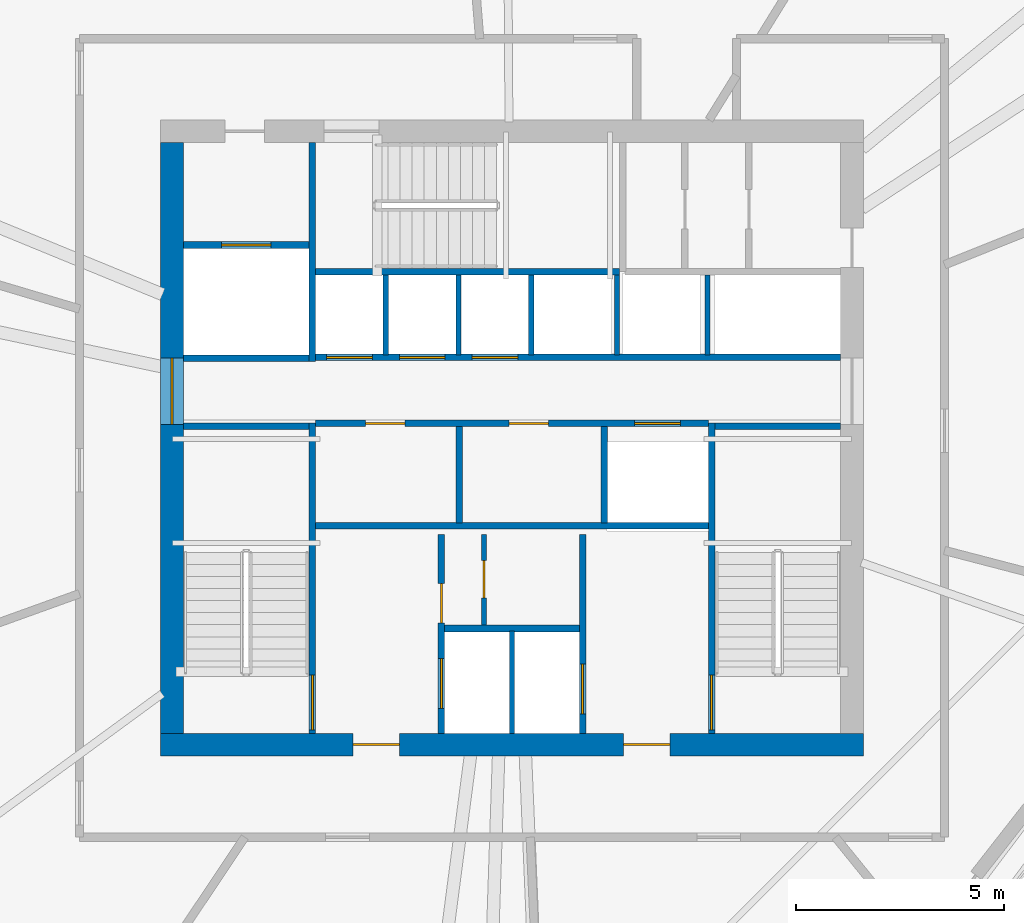
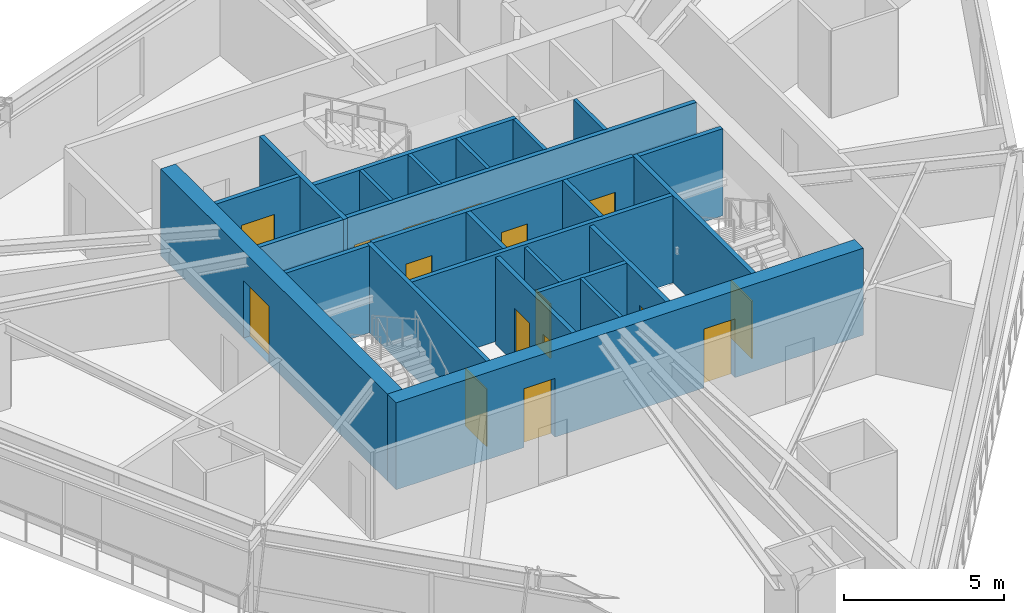
# One storey, part 9 of 14: 25 walls, 16 doors, 16 openings.
"""IFC4 building model written with IfcOpenShell, lengths in metres."""

from ifc_helpers import new_model, si_unit, direction, frame, frame_2d, origin, place, context, subcontext, project, spatial, rectangle, extrude, source, transform, mapped, material, layer, layer_set, type_object, type_shapes, element, fill, save


model = new_model("IFC4")

# Units and contexts
model_context = context("Model", 3, precision=1e-05, world=origin(), true_north=direction((0.0, 1.0)))
body_context = subcontext(model_context, "Body", "Model", "MODEL_VIEW")
ifc_project = project(units=[si_unit("LENGTHUNIT", "METRE"), si_unit("AREAUNIT", "SQUARE_METRE"), si_unit("VOLUMEUNIT", "CUBIC_METRE"), si_unit("PLANEANGLEUNIT", "RADIAN"), si_unit("MASSUNIT", "GRAM", prefix="KILO")], contexts=[model_context])

# Site, building, storey
site_placement = place(None, origin())
site = spatial("IfcSite", under=ifc_project, at=site_placement, CompositionType="ELEMENT")
building_placement = place(site_placement, origin())
building = spatial("IfcBuilding", under=site, at=building_placement, Name="Olszyna Solenne Hotel", CompositionType="ELEMENT")
storey_placement = place(building_placement, frame((0.0, 0.0, 178.550048828125)))
storey = spatial("IfcBuildingStorey", under=building, at=storey_placement, Name="L47", CompositionType="ELEMENT", Elevation=178.550048828125)

# Wall, openings, doors
ifc_material_1 = material(Name="Concrete C50/60", Category="concrete")
ifc_layer_1 = layer(ifc_material_1, 0.550048828125, Name="Concrete C50/60")
ifc_layer_set_1 = layer_set([ifc_layer_1], Name="Concrete C50/60")
wall_type_1 = type_object("IfcWallType", Name="WL-CR550", PredefinedType="SHEAR", material=ifc_layer_set_1)
wall_1_placement = place(storey_placement, frame((46.449951171875, 19.22509765625, 0.0), z_axis=(0.0, 0.0, 1.0), x_axis=(-1.0, 0.0, 0.0)))
wall_1 = element("IfcWall", 1, at=wall_1_placement, inside=storey, type_object=wall_type_1, Name="Core shear wall WL-CR550 CRW-L47-S", PredefinedType="SHEAR", context=body_context, shape_type="SweptSolid", body=[
    extrude(rectangle(XDim=16.89990234375, YDim=0.550048828125, at=frame_2d((8.449951171875, 0.0))), origin(), (0.0, 0.0, 1.0), 3.329833984375),
])
opening_1_placement = place(wall_1_placement, frame((4.64990234375, 0.0, 0.0)))
opening_1 = element("IfcOpeningElement", 2, at=opening_1_placement, cuts=wall_1, Name="Opening FL-L47-1", PredefinedType="OPENING", context=body_context, shape_type="SweptSolid", body=[
    extrude(rectangle(XDim=1.1201171875, YDim=2.25, at=frame_2d((0.56005859375, 1.125))), frame((0.0, 0.28515625, 0.0), z_axis=(0.0, -1.0, 0.0), x_axis=(1.0, 0.0, 0.0)), (0.0, 0.0, 1.0), 0.570068359375),
])
opening_2_placement = place(wall_1_placement, frame((11.14990234375, 0.0, 0.0)))
opening_2 = element("IfcOpeningElement", 3, at=opening_2_placement, cuts=wall_1, Name="Opening FL-L47-2", PredefinedType="OPENING", context=body_context, shape_type="SweptSolid", body=[
    extrude(rectangle(XDim=1.1201171875, YDim=2.25, at=frame_2d((0.56005859375, 1.125))), frame((0.0, 0.28515625, 0.0), z_axis=(0.0, -1.0, 0.0), x_axis=(1.0, 0.0, 0.0)), (0.0, 0.0, 1.0), 0.570068359375),
])
ifc_material_2 = material(Name="Steel S355J2", Category="steel")
door_type_1 = type_object("IfcDoorType", Name="DR-FL1", OperationType="NOTDEFINED", PredefinedType="DOOR", material=ifc_material_2)
shared_shape_1 = source(origin(), body_context, "Body", "SweptSolid", [
    extrude(rectangle(XDim=1.1201171875, YDim=2.25, at=frame_2d((0.56005859375, 1.125))), frame((0.0, 0.02490234375, 0.0), z_axis=(0.0, -1.0, 0.0), x_axis=(1.0, 0.0, 0.0)), (0.0, 0.0, 1.0), 0.050048828125),
])
type_shapes(door_type_1, [shared_shape_1])
door_1_placement = place(opening_1_placement, origin())
door_1 = element("IfcDoor", 4, at=door_1_placement, inside=storey, type_object=door_type_1, Name="Firefighting lift lobby smoke door FL-L47-1", OperationType="SINGLE_SWING_LEFT", OverallHeight=2.25, OverallWidth=1.1201171875, PredefinedType="DOOR", context=body_context, shape_type="MappedRepresentation", body=[
    mapped(shared_shape_1, transform((0.0, 0.0, 0.0), x_axis=(1.0, 0.0, 0.0), y_axis=(0.0, 1.0, 0.0), z_axis=(0.0, 0.0, 1.0), scale=1.0)),
])
fill(opening_1, door_1)
door_2_placement = place(opening_2_placement, origin())
door_2 = element("IfcDoor", 5, at=door_2_placement, inside=storey, type_object=door_type_1, Name="Firefighting lift lobby smoke door FL-L47-2", OperationType="SINGLE_SWING_RIGHT", OverallHeight=2.25, OverallWidth=1.1201171875, PredefinedType="DOOR", context=body_context, shape_type="MappedRepresentation", body=[
    mapped(shared_shape_1, transform((0.0, 0.0, 0.0), x_axis=(1.0, 0.0, 0.0), y_axis=(0.0, 1.0, 0.0), z_axis=(0.0, 0.0, 1.0), scale=1.0)),
])
fill(opening_2, door_2)

# Wall, opening, door
wall_2_placement = place(storey_placement, frame((29.824951171875, 19.5, 0.0), z_axis=(0.0, 0.0, 1.0), x_axis=(0.0, 1.0, 0.0)))
wall_2 = element("IfcWall", 6, at=wall_2_placement, inside=storey, type_object=wall_type_1, Name="Core shear wall WL-CR550 CRW-L47-W", PredefinedType="SHEAR", context=body_context, shape_type="SweptSolid", body=[
    extrude(rectangle(XDim=14.199951171875, YDim=0.550048828125, at=frame_2d((7.10009765625, 0.0))), origin(), (0.0, 0.0, 1.0), 3.329833984375),
])
opening_3_placement = place(wall_2_placement, frame((7.419921875, 0.0, 0.0)))
opening_3 = element("IfcOpeningElement", 7, at=opening_3_placement, cuts=wall_2, Name="Opening LHD-L47-W", PredefinedType="OPENING", context=body_context, shape_type="SweptSolid", body=[
    extrude(rectangle(XDim=1.60009765625, YDim=2.199951171875, at=frame_2d((0.800048828125, 1.10009765625))), frame((0.0, 0.28515625, 0.0), z_axis=(0.0, -1.0, 0.0), x_axis=(1.0, 0.0, 0.0)), (0.0, 0.0, 1.0), 0.570068359375),
])
ifc_material_3 = material(Name="Timber hardwood", Category="wood")
door_type_2 = type_object("IfcDoorType", Name="DR-CR1", OperationType="DOUBLE_DOOR_SINGLE_SWING", PredefinedType="DOOR", material=ifc_material_3)
shared_shape_2 = source(origin(), body_context, "Body", "SweptSolid", [
    extrude(rectangle(XDim=1.60009765625, YDim=2.199951171875, at=frame_2d((0.800048828125, 1.10009765625))), frame((0.0, 0.02490234375, 0.0), z_axis=(0.0, -1.0, 0.0), x_axis=(1.0, 0.0, 0.0)), (0.0, 0.0, 1.0), 0.050048828125),
])
type_shapes(door_type_2, [shared_shape_2])
door_3_placement = place(opening_3_placement, origin())
door_3 = element("IfcDoor", 8, at=door_3_placement, inside=storey, type_object=door_type_2, Name="Passenger lift lobby West fire door LHD-L47-W", OperationType="DOUBLE_DOOR_SINGLE_SWING", OverallHeight=2.199951171875, OverallWidth=1.60009765625, PredefinedType="DOOR", context=body_context, shape_type="MappedRepresentation", body=[
    mapped(shared_shape_2, transform((0.0, 0.0, 0.0), x_axis=(1.0, 0.0, 0.0), y_axis=(0.0, 1.0, 0.0), z_axis=(0.0, 0.0, 1.0), scale=1.0)),
])
fill(opening_3, door_3)

# Wall
ifc_material_4 = material(Name="Acoustic gypsum partition", Category="gypsum")
ifc_layer_2 = layer(ifc_material_4, 0.125, Name="Acoustic gypsum partition")
ifc_layer_set_2 = layer_set([ifc_layer_2], Name="Acoustic gypsum partition")
wall_type_2 = type_object("IfcWallType", Name="WL-PT125", PredefinedType="PARTITIONING", material=ifc_layer_set_2)
wall_3_placement = place(storey_placement, frame((38.0, 19.5, 0.0), z_axis=(0.0, 0.0, 1.0), x_axis=(0.0, 1.0, 0.0)))
element("IfcWall", 9, at=wall_3_placement, inside=storey, type_object=wall_type_2, Name="Core shaft compartment wall CW-L47-FFM", PredefinedType="PARTITIONING", context=body_context, shape_type="SweptSolid", body=[
    extrude(rectangle(XDim=2.4599609375, YDim=0.125, at=frame_2d((1.22998046875, 0.0))), origin(), (0.0, 0.0, 1.0), 3.329833984375),
])

# Wall, opening, door
wall_4_placement = place(storey_placement, frame((37.330078125, 22.10009765625, 0.0), z_axis=(0.0, 0.0, 1.0), x_axis=(0.0, 1.0, 0.0)))
wall_4 = element("IfcWall", 10, at=wall_4_placement, inside=storey, type_object=wall_type_2, Name="Core shaft compartment wall CW-L47-SC3", PredefinedType="PARTITIONING", context=body_context, shape_type="SweptSolid", body=[
    extrude(rectangle(XDim=2.179931640625, YDim=0.125, at=frame_2d((1.08984375, 0.0))), origin(), (0.0, 0.0, 1.0), 3.329833984375),
])
opening_4_placement = place(wall_4_placement, frame((0.64990234375, 0.0, 0.0)))
opening_4 = element("IfcOpeningElement", 11, at=opening_4_placement, cuts=wall_4, Name="Opening SVD-L47-SC3", PredefinedType="OPENING", context=body_context, shape_type="SweptSolid", body=[
    extrude(rectangle(XDim=0.89990234375, YDim=2.10009765625, at=frame_2d((0.449951171875, 1.050048828125))), frame((0.0, 0.072509765625, 0.0), z_axis=(0.0, -1.0, 0.0), x_axis=(1.0, 0.0, 0.0)), (0.0, 0.0, 1.0), 0.14501953125),
])
door_type_3 = type_object("IfcDoorType", Name="DR-WC1", OperationType="NOTDEFINED", PredefinedType="DOOR", material=ifc_material_3)
shared_shape_3 = source(origin(), body_context, "Body", "SweptSolid", [
    extrude(rectangle(XDim=0.89990234375, YDim=2.10009765625, at=frame_2d((0.449951171875, 1.050048828125))), frame((0.0, 0.02490234375, 0.0), z_axis=(0.0, -1.0, 0.0), x_axis=(1.0, 0.0, 0.0)), (0.0, 0.0, 1.0), 0.050048828125),
])
type_shapes(door_type_3, [shared_shape_3])
door_4_placement = place(opening_4_placement, origin())
door_4 = element("IfcDoor", 12, at=door_4_placement, inside=storey, type_object=door_type_3, Name="Trolley bay door SVD-L47-SC3", OperationType="SINGLE_SWING_LEFT", OverallHeight=2.10009765625, OverallWidth=0.89990234375, PredefinedType="DOOR", context=body_context, shape_type="MappedRepresentation", body=[
    mapped(shared_shape_3, transform((0.0, 0.0, 0.0), x_axis=(1.0, 0.0, 0.0), y_axis=(0.0, 1.0, 0.0), z_axis=(0.0, 0.0, 1.0), scale=1.0)),
])
fill(opening_4, door_4)

# Walls
for number, where, z_axis, x_axis, name in (
    (13, (34.965087890625, 28.60009765625, 0.0), (0.0, 0.0, 1.0), (0.0, 1.0, 0.0), "Core shaft compartment wall CW-L47-DIVN349"),
    (14, (36.715087890625, 28.60009765625, 0.0), (0.0, 0.0, 1.0), (0.0, 1.0, 0.0), "Core shaft compartment wall CW-L47-DIVN367"),
    (15, (38.465087890625, 28.60009765625, 0.0), (0.0, 0.0, 1.0), (0.0, 1.0, 0.0), "Core shaft compartment wall CW-L47-DIVN384"),
    (16, (40.52490234375, 28.60009765625, 0.0), (0.0, 0.0, 1.0), (0.0, 1.0, 0.0), "Core shaft compartment wall CW-L47-DIVEX405"),
    (17, (42.699951171875, 28.60009765625, 0.0), (0.0, 0.0, 1.0), (0.0, 1.0, 0.0), "Core shaft compartment wall CW-L47-DIVEX427"),
):
    element("IfcWall", number, at=place(storey_placement, frame(where, z_axis=z_axis, x_axis=x_axis)), inside=storey, type_object=wall_type_2, Name=name, PredefinedType="PARTITIONING", context=body_context, shape_type="SweptSolid", body=[
        extrude(rectangle(XDim=1.919921875, YDim=0.125, at=frame_2d((0.9599609375, 0.0))), origin(), (0.0, 0.0, 1.0), 3.329833984375),
    ])

# Wall, opening, door
ifc_layer_3 = layer(ifc_material_4, 0.159912109375, Name="Acoustic gypsum partition")
ifc_layer_set_3 = layer_set([ifc_layer_3], Name="Acoustic gypsum partition")
wall_type_3 = type_object("IfcWallType", Name="WL-PT160", PredefinedType="PARTITIONING", material=ifc_layer_set_3)
wall_5_placement = place(storey_placement, frame((33.199951171875, 19.5, 0.0), z_axis=(0.0, 0.0, 1.0), x_axis=(0.0, 1.0, 0.0)))
wall_5 = element("IfcWall", 18, at=wall_5_placement, inside=storey, type_object=wall_type_3, Name="Core shaft compartment wall CW-L47-ST1E", PredefinedType="PARTITIONING", context=body_context, shape_type="SweptSolid", body=[
    extrude(rectangle(XDim=7.4599609375, YDim=0.159912109375, at=frame_2d((3.72998046875, 0.0))), origin(), (0.0, 0.0, 1.0), 3.329833984375),
])
opening_5_placement = place(wall_5_placement, frame((0.080078125, 0.0, 0.0)))
opening_5 = element("IfcOpeningElement", 19, at=opening_5_placement, cuts=wall_5, Name="Opening STD-L47-01", PredefinedType="OPENING", context=body_context, shape_type="SweptSolid", body=[
    extrude(rectangle(XDim=1.320068359375, YDim=2.199951171875, at=frame_2d((0.66015625, 1.10009765625))), frame((0.0, 0.08984375, 0.0), z_axis=(0.0, -1.0, 0.0), x_axis=(1.0, 0.0, 0.0)), (0.0, 0.0, 1.0), 0.179931640625),
])
door_type_4 = type_object("IfcDoorType", Name="DR-ST1", OperationType="NOTDEFINED", PredefinedType="DOOR", material=ifc_material_2)
shared_shape_4 = source(origin(), body_context, "Body", "SweptSolid", [
    extrude(rectangle(XDim=1.320068359375, YDim=2.199951171875, at=frame_2d((0.66015625, 1.10009765625))), frame((0.0, 0.02490234375, 0.0), z_axis=(0.0, -1.0, 0.0), x_axis=(1.0, 0.0, 0.0)), (0.0, 0.0, 1.0), 0.050048828125),
])
type_shapes(door_type_4, [shared_shape_4])
door_5_placement = place(opening_5_placement, origin())
door_5 = element("IfcDoor", 20, at=door_5_placement, inside=storey, type_object=door_type_4, Name="Pressurised exit stair ST1 fire door STD-L47-01", OperationType="SINGLE_SWING_LEFT", OverallHeight=2.199951171875, OverallWidth=1.320068359375, PredefinedType="DOOR", context=body_context, shape_type="MappedRepresentation", body=[
    mapped(shared_shape_4, transform((0.0, 0.0, 0.0), x_axis=(1.0, 0.0, 0.0), y_axis=(0.0, 1.0, 0.0), z_axis=(0.0, 0.0, 1.0), scale=1.0)),
])
fill(opening_5, door_5)

# Wall
wall_6_placement = place(storey_placement, frame((30.10009765625, 26.8798828125, 0.0), z_axis=(0.0, 0.0, 1.0), x_axis=(1.0, 0.0, 0.0)))
element("IfcWall", 21, at=wall_6_placement, inside=storey, type_object=wall_type_3, Name="Core shaft compartment wall CW-L47-ST1N", PredefinedType="PARTITIONING", context=body_context, shape_type="SweptSolid", body=[
    extrude(rectangle(XDim=3.02001953125, YDim=0.159912109375, at=frame_2d((1.510009765625, 0.0))), origin(), (0.0, 0.0, 1.0), 3.329833984375),
])

# Wall, opening, door
wall_7_placement = place(storey_placement, frame((42.800048828125, 26.9599609375, 0.0), z_axis=(0.0, 0.0, 1.0), x_axis=(0.0, -1.0, 0.0)))
wall_7 = element("IfcWall", 22, at=wall_7_placement, inside=storey, type_object=wall_type_3, Name="Core shaft compartment wall CW-L47-ST2W", PredefinedType="PARTITIONING", context=body_context, shape_type="SweptSolid", body=[
    extrude(rectangle(XDim=7.4599609375, YDim=0.159912109375, at=frame_2d((3.72998046875, 0.0))), origin(), (0.0, 0.0, 1.0), 3.329833984375),
])
opening_6_placement = place(wall_7_placement, frame((6.06005859375, 0.0, 0.0)))
opening_6 = element("IfcOpeningElement", 23, at=opening_6_placement, cuts=wall_7, Name="Opening STD-L47-02", PredefinedType="OPENING", context=body_context, shape_type="SweptSolid", body=[
    extrude(rectangle(XDim=1.320068359375, YDim=2.199951171875, at=frame_2d((0.66015625, 1.10009765625))), frame((0.0, 0.08984375, 0.0), z_axis=(0.0, -1.0, 0.0), x_axis=(1.0, 0.0, 0.0)), (0.0, 0.0, 1.0), 0.179931640625),
])
door_6_placement = place(opening_6_placement, origin())
door_6 = element("IfcDoor", 24, at=door_6_placement, inside=storey, type_object=door_type_4, Name="Pressurised exit stair ST2 fire door STD-L47-02", OperationType="SINGLE_SWING_RIGHT", OverallHeight=2.199951171875, OverallWidth=1.320068359375, PredefinedType="DOOR", context=body_context, shape_type="MappedRepresentation", body=[
    mapped(shared_shape_4, transform((0.0, 0.0, 0.0), x_axis=(1.0, 0.0, 0.0), y_axis=(0.0, 1.0, 0.0), z_axis=(0.0, 0.0, 1.0), scale=1.0)),
])
fill(opening_6, door_6)

# Walls
wall_8_placement = place(storey_placement, frame((42.8798828125, 26.8798828125, 0.0), z_axis=(0.0, 0.0, 1.0), x_axis=(1.0, 0.0, 0.0)))
element("IfcWall", 25, at=wall_8_placement, inside=storey, type_object=wall_type_3, Name="Core shaft compartment wall CW-L47-ST2N", PredefinedType="PARTITIONING", context=body_context, shape_type="SweptSolid", body=[
    extrude(rectangle(XDim=3.02001953125, YDim=0.159912109375, at=frame_2d((1.510009765625, 0.0))), origin(), (0.0, 0.0, 1.0), 3.329833984375),
])
wall_9_placement = place(storey_placement, frame((33.280029296875, 30.60009765625, 0.0), z_axis=(0.0, 0.0, 1.0), x_axis=(1.0, 0.0, 0.0)))
element("IfcWall", 26, at=wall_9_placement, inside=storey, type_object=wall_type_3, Name="Core shaft compartment wall CW-L47-ST3S", PredefinedType="PARTITIONING", context=body_context, shape_type="SweptSolid", body=[
    extrude(rectangle(XDim=7.300048828125, YDim=0.159912109375, at=frame_2d((3.64990234375, 0.0))), origin(), (0.0, 0.0, 1.0), 3.329833984375),
])

# Wall, openings, doors
wall_10_placement = place(storey_placement, frame((36.300048828125, 19.5, 0.0), z_axis=(0.0, 0.0, 1.0), x_axis=(0.0, 1.0, 0.0)))
wall_10 = element("IfcWall", 27, at=wall_10_placement, inside=storey, type_object=wall_type_3, Name="Core shaft compartment wall CW-L47-FF1W", PredefinedType="PARTITIONING", context=body_context, shape_type="SweptSolid", body=[
    extrude(rectangle(XDim=4.780029296875, YDim=0.159912109375, at=frame_2d((2.39013671875, 0.0))), origin(), (0.0, 0.0, 1.0), 3.329833984375),
])
opening_7_placement = place(wall_10_placement, frame((0.60009765625, 0.0, 0.0)))
opening_7 = element("IfcOpeningElement", 28, at=opening_7_placement, cuts=wall_10, Name="Opening LD-L47-FF1", PredefinedType="OPENING", context=body_context, shape_type="SweptSolid", body=[
    extrude(rectangle(XDim=1.199951171875, YDim=2.199951171875, at=frame_2d((0.60009765625, 1.10009765625))), frame((0.0, 0.08984375, 0.0), z_axis=(0.0, -1.0, 0.0), x_axis=(1.0, 0.0, 0.0)), (0.0, 0.0, 1.0), 0.179931640625),
])
opening_8_placement = place(wall_10_placement, frame((2.64990234375, 0.0, 0.0)))
opening_8 = element("IfcOpeningElement", 29, at=opening_8_placement, cuts=wall_10, Name="Opening SVD-L47-SMK", PredefinedType="OPENING", context=body_context, shape_type="SweptSolid", body=[
    extrude(rectangle(XDim=0.949951171875, YDim=2.10009765625, at=frame_2d((0.47509765625, 1.050048828125))), frame((0.0, 0.08984375, 0.0), z_axis=(0.0, -1.0, 0.0), x_axis=(1.0, 0.0, 0.0)), (0.0, 0.0, 1.0), 0.179931640625),
])
door_type_5 = type_object("IfcDoorType", Name="DR-SV1", OperationType="NOTDEFINED", PredefinedType="DOOR", material=ifc_material_2)
shared_shape_5 = source(origin(), body_context, "Body", "SweptSolid", [
    extrude(rectangle(XDim=0.949951171875, YDim=2.10009765625, at=frame_2d((0.47509765625, 1.050048828125))), frame((0.0, 0.02490234375, 0.0), z_axis=(0.0, -1.0, 0.0), x_axis=(1.0, 0.0, 0.0)), (0.0, 0.0, 1.0), 0.050048828125),
])
type_shapes(door_type_5, [shared_shape_5])
door_7_placement = place(opening_8_placement, origin())
door_7 = element("IfcDoor", 30, at=door_7_placement, inside=storey, type_object=door_type_5, Name="Valet and core service room door SVD-L47-SMK", OperationType="SINGLE_SWING_LEFT", OverallHeight=2.10009765625, OverallWidth=0.949951171875, PredefinedType="DOOR", context=body_context, shape_type="MappedRepresentation", body=[
    mapped(shared_shape_5, transform((0.0, 0.0, 0.0), x_axis=(1.0, 0.0, 0.0), y_axis=(0.0, 1.0, 0.0), z_axis=(0.0, 0.0, 1.0), scale=1.0)),
])
fill(opening_8, door_7)
door_type_6 = type_object("IfcDoorType", Name="LD-FF1", OperationType="DOUBLE_DOOR_SLIDING", PredefinedType="DOOR", material=ifc_material_2)
shared_shape_6 = source(origin(), body_context, "Body", "SweptSolid", [
    extrude(rectangle(XDim=1.199951171875, YDim=2.199951171875, at=frame_2d((0.60009765625, 1.10009765625))), frame((0.0, 0.02490234375, 0.0), z_axis=(0.0, -1.0, 0.0), x_axis=(1.0, 0.0, 0.0)), (0.0, 0.0, 1.0), 0.050048828125),
])
type_shapes(door_type_6, [shared_shape_6])
door_8_placement = place(opening_7_placement, origin())
door_8 = element("IfcDoor", 31, at=door_8_placement, inside=storey, type_object=door_type_6, Name="Firefighters lift FF1 sliding landing door LD-L47-FF1", OperationType="DOUBLE_DOOR_SLIDING", OverallHeight=2.199951171875, OverallWidth=1.199951171875, PredefinedType="DOOR", context=body_context, shape_type="MappedRepresentation", body=[
    mapped(shared_shape_6, transform((0.0, 0.0, 0.0), x_axis=(1.0, 0.0, 0.0), y_axis=(0.0, 1.0, 0.0), z_axis=(0.0, 0.0, 1.0), scale=1.0)),
])
fill(opening_7, door_8)

# Wall, opening, door
wall_11_placement = place(storey_placement, frame((39.699951171875, 24.280029296875, 0.0), z_axis=(0.0, 0.0, 1.0), x_axis=(0.0, -1.0, 0.0)))
wall_11 = element("IfcWall", 32, at=wall_11_placement, inside=storey, type_object=wall_type_3, Name="Core shaft compartment wall CW-L47-FF2E", PredefinedType="PARTITIONING", context=body_context, shape_type="SweptSolid", body=[
    extrude(rectangle(XDim=4.780029296875, YDim=0.159912109375, at=frame_2d((2.39013671875, 0.0))), origin(), (0.0, 0.0, 1.0), 3.329833984375),
])
opening_9_placement = place(wall_11_placement, frame((3.1201171875, 0.0, 0.0)))
opening_9 = element("IfcOpeningElement", 33, at=opening_9_placement, cuts=wall_11, Name="Opening LD-L47-FF2", PredefinedType="OPENING", context=body_context, shape_type="SweptSolid", body=[
    extrude(rectangle(XDim=1.199951171875, YDim=2.199951171875, at=frame_2d((0.60009765625, 1.10009765625))), frame((0.0, 0.08984375, 0.0), z_axis=(0.0, -1.0, 0.0), x_axis=(1.0, 0.0, 0.0)), (0.0, 0.0, 1.0), 0.179931640625),
])
door_9_placement = place(opening_9_placement, origin())
door_9 = element("IfcDoor", 34, at=door_9_placement, inside=storey, type_object=door_type_6, Name="Firefighters lift FF2 sliding landing door LD-L47-FF2", OperationType="DOUBLE_DOOR_SLIDING", OverallHeight=2.199951171875, OverallWidth=1.199951171875, PredefinedType="DOOR", context=body_context, shape_type="MappedRepresentation", body=[
    mapped(shared_shape_6, transform((0.0, 0.0, 0.0), x_axis=(1.0, 0.0, 0.0), y_axis=(0.0, 1.0, 0.0), z_axis=(0.0, 0.0, 1.0), scale=1.0)),
])
fill(opening_9, door_9)

# Walls
wall_12_placement = place(storey_placement, frame((36.3798828125, 22.02001953125, 0.0), z_axis=(0.0, 0.0, 1.0), x_axis=(1.0, 0.0, 0.0)))
element("IfcWall", 35, at=wall_12_placement, inside=storey, type_object=wall_type_3, Name="Core shaft compartment wall CW-L47-FFN", PredefinedType="PARTITIONING", context=body_context, shape_type="SweptSolid", body=[
    extrude(rectangle(XDim=3.240234375, YDim=0.159912109375, at=frame_2d((1.6201171875, 0.0))), origin(), (0.0, 0.0, 1.0), 3.329833984375),
])
wall_13_placement = place(storey_placement, frame((33.280029296875, 24.489990234375, 0.0), z_axis=(0.0, 0.0, 1.0), x_axis=(1.0, 0.0, 0.0)))
element("IfcWall", 36, at=wall_13_placement, inside=storey, type_object=wall_type_3, Name="Core shaft compartment wall CW-L47-FFBN", PredefinedType="PARTITIONING", context=body_context, shape_type="SweptSolid", body=[
    extrude(rectangle(XDim=9.43994140625, YDim=0.159912109375, at=frame_2d((4.719970703125, 0.0))), origin(), (0.0, 0.0, 1.0), 3.329833984375),
])
wall_14_placement = place(storey_placement, frame((30.10009765625, 28.52001953125, 0.0), z_axis=(0.0, 0.0, 1.0), x_axis=(1.0, 0.0, 0.0)))
element("IfcWall", 37, at=wall_14_placement, inside=storey, type_object=wall_type_3, Name="Core shaft compartment wall CW-L47-SV1S", PredefinedType="PARTITIONING", context=body_context, shape_type="SweptSolid", body=[
    extrude(rectangle(XDim=3.02001953125, YDim=0.159912109375, at=frame_2d((1.510009765625, 0.0))), origin(), (0.0, 0.0, 1.0), 3.329833984375),
])
wall_15_placement = place(storey_placement, frame((33.199951171875, 28.43994140625, 0.0), z_axis=(0.0, 0.0, 1.0), x_axis=(0.0, 1.0, 0.0)))
element("IfcWall", 38, at=wall_15_placement, inside=storey, type_object=wall_type_3, Name="Core shaft compartment wall CW-L47-SV1E", PredefinedType="PARTITIONING", context=body_context, shape_type="SweptSolid", body=[
    extrude(rectangle(XDim=5.260009765625, YDim=0.159912109375, at=frame_2d((2.6298828125, 0.0))), origin(), (0.0, 0.0, 1.0), 3.329833984375),
])

# Wall, opening, door
wall_16_placement = place(storey_placement, frame((30.10009765625, 31.239990234375, 0.0), z_axis=(0.0, 0.0, 1.0), x_axis=(1.0, 0.0, 0.0)))
wall_16 = element("IfcWall", 39, at=wall_16_placement, inside=storey, type_object=wall_type_3, Name="Core shaft compartment wall CW-L47-SV1N", PredefinedType="PARTITIONING", context=body_context, shape_type="SweptSolid", body=[
    extrude(rectangle(XDim=3.02001953125, YDim=0.159912109375, at=frame_2d((1.510009765625, 0.0))), origin(), (0.0, 0.0, 1.0), 3.329833984375),
])
opening_10_placement = place(wall_16_placement, frame((0.909912109375, 0.0, 0.0)))
opening_10 = element("IfcOpeningElement", 40, at=opening_10_placement, cuts=wall_16, Name="Opening LD-L47-SV1", PredefinedType="OPENING", context=body_context, shape_type="SweptSolid", body=[
    extrude(rectangle(XDim=1.199951171875, YDim=2.199951171875, at=frame_2d((0.60009765625, 1.10009765625))), frame((0.0, 0.08984375, 0.0), z_axis=(0.0, -1.0, 0.0), x_axis=(1.0, 0.0, 0.0)), (0.0, 0.0, 1.0), 0.179931640625),
])
door_10_placement = place(opening_10_placement, origin())
door_10 = element("IfcDoor", 41, at=door_10_placement, inside=storey, type_object=door_type_6, Name="Service lift SV1 sliding landing door LD-L47-SV1", OperationType="DOUBLE_DOOR_SLIDING", OverallHeight=2.199951171875, OverallWidth=1.199951171875, PredefinedType="DOOR", context=body_context, shape_type="MappedRepresentation", body=[
    mapped(shared_shape_6, transform((0.0, 0.0, 0.0), x_axis=(1.0, 0.0, 0.0), y_axis=(0.0, 1.0, 0.0), z_axis=(0.0, 0.0, 1.0), scale=1.0)),
])
fill(opening_10, door_10)

# Wall, openings, doors
wall_17_placement = place(storey_placement, frame((33.280029296875, 26.949951171875, 0.0), z_axis=(0.0, 0.0, 1.0), x_axis=(1.0, 0.0, 0.0)))
wall_17 = element("IfcWall", 42, at=wall_17_placement, inside=storey, type_object=wall_type_3, Name="Core shaft compartment wall CW-L47-LRS", PredefinedType="PARTITIONING", context=body_context, shape_type="SweptSolid", body=[
    extrude(rectangle(XDim=9.43994140625, YDim=0.159912109375, at=frame_2d((4.719970703125, 0.0))), origin(), (0.0, 0.0, 1.0), 3.329833984375),
])
opening_11_placement = place(wall_17_placement, frame((1.199951171875, 0.0, 0.0)))
opening_11 = element("IfcOpeningElement", 43, at=opening_11_placement, cuts=wall_17, Name="Opening SVD-L47-L71", PredefinedType="OPENING", context=body_context, shape_type="SweptSolid", body=[
    extrude(rectangle(XDim=0.949951171875, YDim=2.10009765625, at=frame_2d((0.47509765625, 1.050048828125))), frame((0.0, 0.08984375, 0.0), z_axis=(0.0, -1.0, 0.0), x_axis=(1.0, 0.0, 0.0)), (0.0, 0.0, 1.0), 0.179931640625),
])
opening_12_placement = place(wall_17_placement, frame((4.64990234375, 0.0, 0.0)))
opening_12 = element("IfcOpeningElement", 44, at=opening_12_placement, cuts=wall_17, Name="Opening SVD-L47-L72", PredefinedType="OPENING", context=body_context, shape_type="SweptSolid", body=[
    extrude(rectangle(XDim=0.949951171875, YDim=2.10009765625, at=frame_2d((0.47509765625, 1.050048828125))), frame((0.0, 0.08984375, 0.0), z_axis=(0.0, -1.0, 0.0), x_axis=(1.0, 0.0, 0.0)), (0.0, 0.0, 1.0), 0.179931640625),
])
opening_13_placement = place(wall_17_placement, frame((7.669921875, 0.0, 0.0)))
opening_13 = element("IfcOpeningElement", 45, at=opening_13_placement, cuts=wall_17, Name="Opening LD-L47-PL5", PredefinedType="OPENING", context=body_context, shape_type="SweptSolid", body=[
    extrude(rectangle(XDim=1.10009765625, YDim=2.199951171875, at=frame_2d((0.550048828125, 1.10009765625))), frame((0.0, 0.08984375, 0.0), z_axis=(0.0, -1.0, 0.0), x_axis=(1.0, 0.0, 0.0)), (0.0, 0.0, 1.0), 0.179931640625),
])
door_11_placement = place(opening_11_placement, origin())
door_11 = element("IfcDoor", 46, at=door_11_placement, inside=storey, type_object=door_type_5, Name="Recaptured core room fire door SVD-L47-L71", OperationType="SINGLE_SWING_LEFT", OverallHeight=2.10009765625, OverallWidth=0.949951171875, PredefinedType="DOOR", context=body_context, shape_type="MappedRepresentation", body=[
    mapped(shared_shape_5, transform((0.0, 0.0, 0.0), x_axis=(1.0, 0.0, 0.0), y_axis=(0.0, 1.0, 0.0), z_axis=(0.0, 0.0, 1.0), scale=1.0)),
])
fill(opening_11, door_11)
door_12_placement = place(opening_12_placement, origin())
door_12 = element("IfcDoor", 47, at=door_12_placement, inside=storey, type_object=door_type_5, Name="Recaptured core room fire door SVD-L47-L72", OperationType="SINGLE_SWING_RIGHT", OverallHeight=2.10009765625, OverallWidth=0.949951171875, PredefinedType="DOOR", context=body_context, shape_type="MappedRepresentation", body=[
    mapped(shared_shape_5, transform((0.0, 0.0, 0.0), x_axis=(1.0, 0.0, 0.0), y_axis=(0.0, 1.0, 0.0), z_axis=(0.0, 0.0, 1.0), scale=1.0)),
])
fill(opening_12, door_12)
door_type_7 = type_object("IfcDoorType", Name="LD-P1", OperationType="DOUBLE_DOOR_SLIDING", PredefinedType="DOOR", material=ifc_material_2)
shared_shape_7 = source(origin(), body_context, "Body", "SweptSolid", [
    extrude(rectangle(XDim=1.10009765625, YDim=2.199951171875, at=frame_2d((0.550048828125, 1.10009765625))), frame((0.0, 0.02490234375, 0.0), z_axis=(0.0, -1.0, 0.0), x_axis=(1.0, 0.0, 0.0)), (0.0, 0.0, 1.0), 0.050048828125),
])
type_shapes(door_type_7, [shared_shape_7])
door_13_placement = place(opening_13_placement, origin())
door_13 = element("IfcDoor", 48, at=door_13_placement, inside=storey, type_object=door_type_7, Name="Passenger lift PL5 sliding landing door LD-L47-PL5", OperationType="DOUBLE_DOOR_SLIDING", OverallHeight=2.199951171875, OverallWidth=1.10009765625, PredefinedType="DOOR", context=body_context, shape_type="MappedRepresentation", body=[
    mapped(shared_shape_7, transform((0.0, 0.0, 0.0), x_axis=(1.0, 0.0, 0.0), y_axis=(0.0, 1.0, 0.0), z_axis=(0.0, 0.0, 1.0), scale=1.0)),
])
fill(opening_13, door_13)

# Walls
for number, where, z_axis, x_axis, name in (
    (49, (36.72998046875, 24.56005859375, 0.0), (0.0, 0.0, 1.0), (0.0, 1.0, 0.0), "Core shaft compartment wall CW-L47-LV7DIV1"),
    (50, (40.215087890625, 24.56005859375, 0.0), (0.0, 0.0, 1.0), (0.0, 1.0, 0.0), "Core shaft compartment wall CW-L47-LV7DIV2"),
):
    element("IfcWall", number, at=place(storey_placement, frame(where, z_axis=z_axis, x_axis=x_axis)), inside=storey, type_object=wall_type_3, Name=name, PredefinedType="PARTITIONING", context=body_context, shape_type="SweptSolid", body=[
        extrude(rectangle(XDim=2.31005859375, YDim=0.159912109375, at=frame_2d((1.155029296875, 0.0))), origin(), (0.0, 0.0, 1.0), 3.329833984375),
    ])

# Wall, openings, doors
wall_18_placement = place(storey_placement, frame((33.280029296875, 28.5400390625, 0.0), z_axis=(0.0, 0.0, 1.0), x_axis=(1.0, 0.0, 0.0)))
wall_18 = element("IfcWall", 51, at=wall_18_placement, inside=storey, type_object=wall_type_3, Name="Core shaft compartment wall CW-L47-LRN", PredefinedType="PARTITIONING", context=body_context, shape_type="SweptSolid", body=[
    extrude(rectangle(XDim=12.619873046875, YDim=0.159912109375, at=frame_2d((6.31005859375, 0.0))), origin(), (0.0, 0.0, 1.0), 3.329833984375),
])
opening_14_placement = place(wall_18_placement, frame((0.260009765625, 0.0, 0.0)))
opening_14 = element("IfcOpeningElement", 52, at=opening_14_placement, cuts=wall_18, Name="Opening LD-L47-PL6", PredefinedType="OPENING", context=body_context, shape_type="SweptSolid", body=[
    extrude(rectangle(XDim=1.10009765625, YDim=2.199951171875, at=frame_2d((0.550048828125, 1.10009765625))), frame((0.0, 0.08984375, 0.0), z_axis=(0.0, -1.0, 0.0), x_axis=(1.0, 0.0, 0.0)), (0.0, 0.0, 1.0), 0.179931640625),
])
opening_15_placement = place(wall_18_placement, frame((2.010009765625, 0.0, 0.0)))
opening_15 = element("IfcOpeningElement", 53, at=opening_15_placement, cuts=wall_18, Name="Opening LD-L47-PL7", PredefinedType="OPENING", context=body_context, shape_type="SweptSolid", body=[
    extrude(rectangle(XDim=1.10009765625, YDim=2.199951171875, at=frame_2d((0.550048828125, 1.10009765625))), frame((0.0, 0.08984375, 0.0), z_axis=(0.0, -1.0, 0.0), x_axis=(1.0, 0.0, 0.0)), (0.0, 0.0, 1.0), 0.179931640625),
])
opening_16_placement = place(wall_18_placement, frame((3.760009765625, 0.0, 0.0)))
opening_16 = element("IfcOpeningElement", 54, at=opening_16_placement, cuts=wall_18, Name="Opening LD-L47-PL8", PredefinedType="OPENING", context=body_context, shape_type="SweptSolid", body=[
    extrude(rectangle(XDim=1.10009765625, YDim=2.199951171875, at=frame_2d((0.550048828125, 1.10009765625))), frame((0.0, 0.08984375, 0.0), z_axis=(0.0, -1.0, 0.0), x_axis=(1.0, 0.0, 0.0)), (0.0, 0.0, 1.0), 0.179931640625),
])
door_14_placement = place(opening_14_placement, origin())
door_14 = element("IfcDoor", 55, at=door_14_placement, inside=storey, type_object=door_type_7, Name="Passenger lift PL6 sliding landing door LD-L47-PL6", OperationType="DOUBLE_DOOR_SLIDING", OverallHeight=2.199951171875, OverallWidth=1.10009765625, PredefinedType="DOOR", context=body_context, shape_type="MappedRepresentation", body=[
    mapped(shared_shape_7, transform((0.0, 0.0, 0.0), x_axis=(1.0, 0.0, 0.0), y_axis=(0.0, 1.0, 0.0), z_axis=(0.0, 0.0, 1.0), scale=1.0)),
])
fill(opening_14, door_14)
door_15_placement = place(opening_15_placement, origin())
door_15 = element("IfcDoor", 56, at=door_15_placement, inside=storey, type_object=door_type_7, Name="Passenger lift PL7 sliding landing door LD-L47-PL7", OperationType="DOUBLE_DOOR_SLIDING", OverallHeight=2.199951171875, OverallWidth=1.10009765625, PredefinedType="DOOR", context=body_context, shape_type="MappedRepresentation", body=[
    mapped(shared_shape_7, transform((0.0, 0.0, 0.0), x_axis=(1.0, 0.0, 0.0), y_axis=(0.0, 1.0, 0.0), z_axis=(0.0, 0.0, 1.0), scale=1.0)),
])
fill(opening_15, door_15)
door_16_placement = place(opening_16_placement, origin())
door_16 = element("IfcDoor", 57, at=door_16_placement, inside=storey, type_object=door_type_7, Name="Passenger lift PL8 sliding landing door LD-L47-PL8", OperationType="DOUBLE_DOOR_SLIDING", OverallHeight=2.199951171875, OverallWidth=1.10009765625, PredefinedType="DOOR", context=body_context, shape_type="MappedRepresentation", body=[
    mapped(shared_shape_7, transform((0.0, 0.0, 0.0), x_axis=(1.0, 0.0, 0.0), y_axis=(0.0, 1.0, 0.0), z_axis=(0.0, 0.0, 1.0), scale=1.0)),
])
fill(opening_16, door_16)

save(model, "model.ifc")
